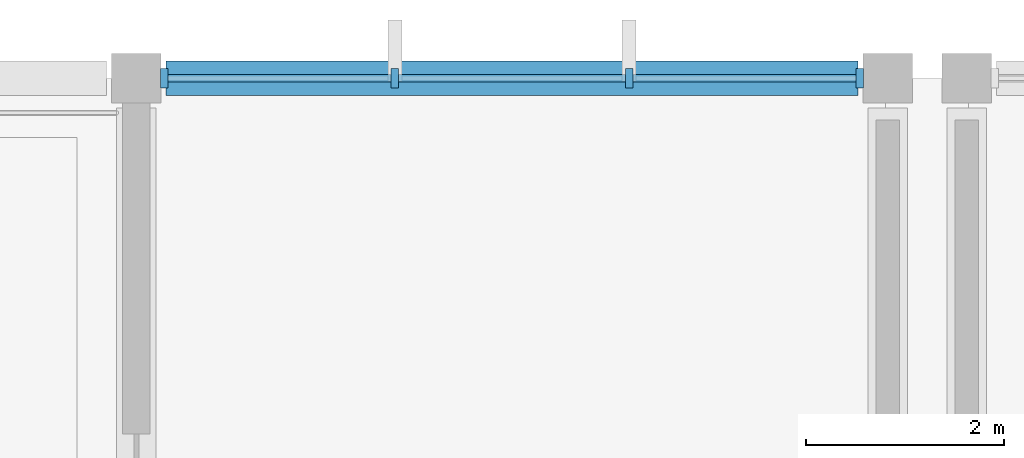
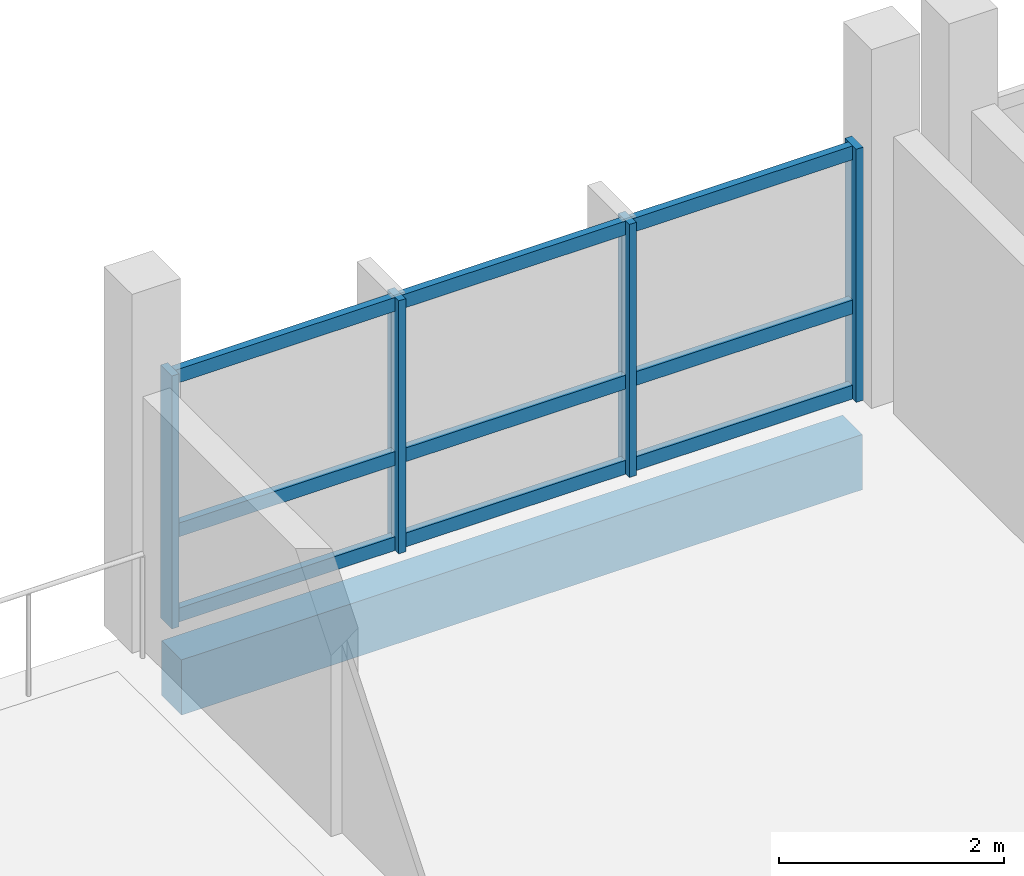
# One storey, part 18 of 57: 13 members, 1 beam, 1 element without a shape of its own.
"""IFC4 building model written with IfcOpenShell, lengths in metres."""

from ifc_helpers import new_model, si_unit, direction, frame, origin, origin_2d, place, context, subcontext, project, spatial, rectangle, extrude, material, material_profile, profile_set, type_object, element, aggregate, save


model = new_model("IFC4")

# Units and contexts
model_context = context("Model", 3, precision=1e-05, world=origin(), true_north=direction((0.0, 1.0)))
body_context = subcontext(model_context, "Body", "Model", "MODEL_VIEW")
ifc_project = project(units=[si_unit("LENGTHUNIT", "METRE"), si_unit("AREAUNIT", "SQUARE_METRE"), si_unit("VOLUMEUNIT", "CUBIC_METRE"), si_unit("PLANEANGLEUNIT", "RADIAN"), si_unit("MASSUNIT", "GRAM", prefix="KILO"), si_unit("THERMODYNAMICTEMPERATUREUNIT", "KELVIN"), si_unit("POWERUNIT", "WATT")], contexts=[model_context])

# Site, building, storey
site_placement = place(None, origin())
site = spatial("IfcSite", under=ifc_project, at=site_placement, CompositionType="ELEMENT")
building_placement = place(site_placement, origin())
building = spatial("IfcBuilding", under=site, at=building_placement, Name="Kronsvod Quay Wholesale Market", CompositionType="ELEMENT")
storey_placement = place(building_placement, frame((0.0, 0.0, 13.199951171875)))
storey = spatial("IfcBuildingStorey", under=building, at=storey_placement, Name="L03", CompositionType="ELEMENT", Elevation=13.199951171875)

# Curtain wall, members
ifc_material_1 = material(Name="Thermally broken aluminium and triple low-E glazing", Category="aluminium")
curtain_wall_type = type_object("IfcCurtainWallType", Name="CW_Harbour76x30", PredefinedType="NOTDEFINED", material=ifc_material_1)
curtain_wall_placement = place(storey_placement, origin())
curtain_wall = element("IfcCurtainWall", 1, at=curtain_wall_placement, inside=storey, type_object=curtain_wall_type, Name="CWGX-L03-560-1260", PredefinedType="NOTDEFINED")
ifc_material_2 = material(Name="Anodised aluminium", Category="aluminium")
ifc_material_profile_1 = material_profile(ifc_material_2, rectangle(XDim=0.074951171875, YDim=0.199951171875, at=origin_2d()), Name="ALUM75x200")
ifc_profile_set_1 = profile_set([ifc_material_profile_1], Name="Anodised aluminium")
member_type_1 = type_object("IfcMemberType", Name="Mullion_ALU75x200", PredefinedType="MULLION", material=ifc_profile_set_1)
member_1_placement = place(storey_placement, frame((63.3173828125, 126.0, 0.0), z_axis=(0.0, 0.0, 1.0), x_axis=(1.0, 0.0, 0.0)))
member_1 = element("IfcMember", 2, at=member_1_placement, type_object=member_type_1, Name="CWGX-L03-560-1260-M1", PredefinedType="MULLION", context=body_context, shape_type="SweptSolid", body=[
    extrude(rectangle(XDim=0.074951171875, YDim=0.199951171875, at=origin_2d()), origin(), (0.0, 0.0, 1.0), 2.75),
])
member_2_placement = place(storey_placement, frame((60.985107421875, 126.0, 0.0), z_axis=(0.0, 0.0, 1.0), x_axis=(1.0, 0.0, 0.0)))
member_2 = element("IfcMember", 3, at=member_2_placement, type_object=member_type_1, Name="CWGX-L03-560-1260-M2", PredefinedType="MULLION", context=body_context, shape_type="SweptSolid", body=[
    extrude(rectangle(XDim=0.074951171875, YDim=0.199951171875, at=origin_2d()), origin(), (0.0, 0.0, 1.0), 2.75),
])
member_3_placement = place(storey_placement, frame((58.614990234375, 126.0, 0.0), z_axis=(0.0, 0.0, 1.0), x_axis=(1.0, 0.0, 0.0)))
member_3 = element("IfcMember", 4, at=member_3_placement, type_object=member_type_1, Name="CWGX-L03-560-1260-M3", PredefinedType="MULLION", context=body_context, shape_type="SweptSolid", body=[
    extrude(rectangle(XDim=0.074951171875, YDim=0.199951171875, at=origin_2d()), origin(), (0.0, 0.0, 1.0), 2.75),
])
member_4_placement = place(storey_placement, frame((56.282470703125, 126.0, 0.0), z_axis=(0.0, 0.0, 1.0), x_axis=(1.0, 0.0, 0.0)))
member_4 = element("IfcMember", 5, at=member_4_placement, type_object=member_type_1, Name="CWGX-L03-560-1260-M4", PredefinedType="MULLION", context=body_context, shape_type="SweptSolid", body=[
    extrude(rectangle(XDim=0.074951171875, YDim=0.199951171875, at=origin_2d()), origin(), (0.0, 0.0, 1.0), 2.75),
])

# Beam
ifc_material_3 = material(Name="Precast concrete C40/50", Category="concrete")
ifc_material_profile_2 = material_profile(ifc_material_3, rectangle(XDim=0.35009765625, YDim=0.60009765625, at=origin_2d()), Name="PCSP350x600")
ifc_profile_set_2 = profile_set([ifc_material_profile_2], Name="Precast concrete C40/50")
beam_type = type_object("IfcBeamType", Name="Spandrel_PCSP350x600", PredefinedType="SPANDREL", material=ifc_profile_set_2)
beam_placement = place(storey_placement, frame((56.300048828125, 126.0, -0.60986328125), z_axis=(1.0, 0.0, 0.0), x_axis=(0.0, 1.0, 0.0)))
element("IfcBeam", 6, at=beam_placement, inside=storey, type_object=beam_type, Name="BMX-L03-560-1260", PredefinedType="SPANDREL", context=body_context, shape_type="SweptSolid", body=[
    extrude(rectangle(XDim=0.35009765625, YDim=0.60009765625, at=origin_2d()), origin(), (0.0, 0.0, 1.0), 7.0),
])

# Member
ifc_material_4 = material(Name="Anodised aluminium", Category="aluminium")
ifc_material_profile_3 = material_profile(ifc_material_4, rectangle(XDim=0.074951171875, YDim=0.14990234375, at=origin_2d()), Name="ALUT75x150")
ifc_profile_set_3 = profile_set([ifc_material_profile_3], Name="Anodised aluminium")
member_type_2 = type_object("IfcMemberType", Name="Transom_ALU75x150", PredefinedType="USERDEFINED", material=ifc_profile_set_3)
member_5_placement = place(storey_placement, frame((63.280029296875, 126.0, 0.074951171875), z_axis=(-1.0, 0.0, 0.0), x_axis=(0.0, -1.0, 0.0)))
member_5 = element("IfcMember", 7, at=member_5_placement, type_object=member_type_2, Name="CWGX-L03-560-1260-T1B1", ObjectType="TRANSOM", PredefinedType="USERDEFINED", context=body_context, shape_type="SweptSolid", body=[
    extrude(rectangle(XDim=0.074951171875, YDim=0.14990234375, at=origin_2d()), origin(), (0.0, 0.0, 1.0), 2.257568359375),
])

member_6_placement = place(storey_placement, frame((60.947509765625, 126.0, 0.074951171875), z_axis=(-1.0, 0.0, 0.0), x_axis=(0.0, -1.0, 0.0)))
member_6 = element("IfcMember", 8, at=member_6_placement, type_object=member_type_2, Name="CWGX-L03-560-1260-T1B2", ObjectType="TRANSOM", PredefinedType="USERDEFINED", context=body_context, shape_type="SweptSolid", body=[
    extrude(rectangle(XDim=0.074951171875, YDim=0.14990234375, at=origin_2d()), origin(), (0.0, 0.0, 1.0), 2.294921875),
])

member_7_placement = place(storey_placement, frame((58.577392578125, 126.0, 0.074951171875), z_axis=(-1.0, 0.0, 0.0), x_axis=(0.0, -1.0, 0.0)))
member_7 = element("IfcMember", 9, at=member_7_placement, type_object=member_type_2, Name="CWGX-L03-560-1260-T1B3", ObjectType="TRANSOM", PredefinedType="USERDEFINED", context=body_context, shape_type="SweptSolid", body=[
    extrude(rectangle(XDim=0.074951171875, YDim=0.14990234375, at=origin_2d()), origin(), (0.0, 0.0, 1.0), 2.25732421875),
])

member_8_placement = place(storey_placement, frame((63.280029296875, 126.0, 1.0), z_axis=(-1.0, 0.0, 0.0), x_axis=(0.0, -1.0, 0.0)))
member_8 = element("IfcMember", 10, at=member_8_placement, type_object=member_type_2, Name="CWGX-L03-560-1260-T2B1", ObjectType="TRANSOM", PredefinedType="USERDEFINED", context=body_context, shape_type="SweptSolid", body=[
    extrude(rectangle(XDim=0.074951171875, YDim=0.14990234375, at=origin_2d()), origin(), (0.0, 0.0, 1.0), 2.257568359375),
])

member_9_placement = place(storey_placement, frame((60.947509765625, 126.0, 1.0), z_axis=(-1.0, 0.0, 0.0), x_axis=(0.0, -1.0, 0.0)))
member_9 = element("IfcMember", 11, at=member_9_placement, type_object=member_type_2, Name="CWGX-L03-560-1260-T2B2", ObjectType="TRANSOM", PredefinedType="USERDEFINED", context=body_context, shape_type="SweptSolid", body=[
    extrude(rectangle(XDim=0.074951171875, YDim=0.14990234375, at=origin_2d()), origin(), (0.0, 0.0, 1.0), 2.294921875),
])

member_10_placement = place(storey_placement, frame((58.577392578125, 126.0, 1.0), z_axis=(-1.0, 0.0, 0.0), x_axis=(0.0, -1.0, 0.0)))
member_10 = element("IfcMember", 12, at=member_10_placement, type_object=member_type_2, Name="CWGX-L03-560-1260-T2B3", ObjectType="TRANSOM", PredefinedType="USERDEFINED", context=body_context, shape_type="SweptSolid", body=[
    extrude(rectangle(XDim=0.074951171875, YDim=0.14990234375, at=origin_2d()), origin(), (0.0, 0.0, 1.0), 2.25732421875),
])

member_11_placement = place(storey_placement, frame((63.280029296875, 126.0, 2.675048828125), z_axis=(-1.0, 0.0, 0.0), x_axis=(0.0, -1.0, 0.0)))
member_11 = element("IfcMember", 13, at=member_11_placement, type_object=member_type_2, Name="CWGX-L03-560-1260-T3B1", ObjectType="TRANSOM", PredefinedType="USERDEFINED", context=body_context, shape_type="SweptSolid", body=[
    extrude(rectangle(XDim=0.074951171875, YDim=0.14990234375, at=origin_2d()), origin(), (0.0, 0.0, 1.0), 2.257568359375),
])

member_12_placement = place(storey_placement, frame((60.947509765625, 126.0, 2.675048828125), z_axis=(-1.0, 0.0, 0.0), x_axis=(0.0, -1.0, 0.0)))
member_12 = element("IfcMember", 14, at=member_12_placement, type_object=member_type_2, Name="CWGX-L03-560-1260-T3B2", ObjectType="TRANSOM", PredefinedType="USERDEFINED", context=body_context, shape_type="SweptSolid", body=[
    extrude(rectangle(XDim=0.074951171875, YDim=0.14990234375, at=origin_2d()), origin(), (0.0, 0.0, 1.0), 2.294921875),
])

member_13_placement = place(storey_placement, frame((58.577392578125, 126.0, 2.675048828125), z_axis=(-1.0, 0.0, 0.0), x_axis=(0.0, -1.0, 0.0)))
member_13 = element("IfcMember", 15, at=member_13_placement, type_object=member_type_2, Name="CWGX-L03-560-1260-T3B3", ObjectType="TRANSOM", PredefinedType="USERDEFINED", context=body_context, shape_type="SweptSolid", body=[
    extrude(rectangle(XDim=0.074951171875, YDim=0.14990234375, at=origin_2d()), origin(), (0.0, 0.0, 1.0), 2.25732421875),
])

aggregate(curtain_wall, [member_1, member_2, member_3, member_4, member_5, member_6, member_7, member_8, member_9, member_10, member_11, member_12, member_13])

save(model, "model.ifc")
